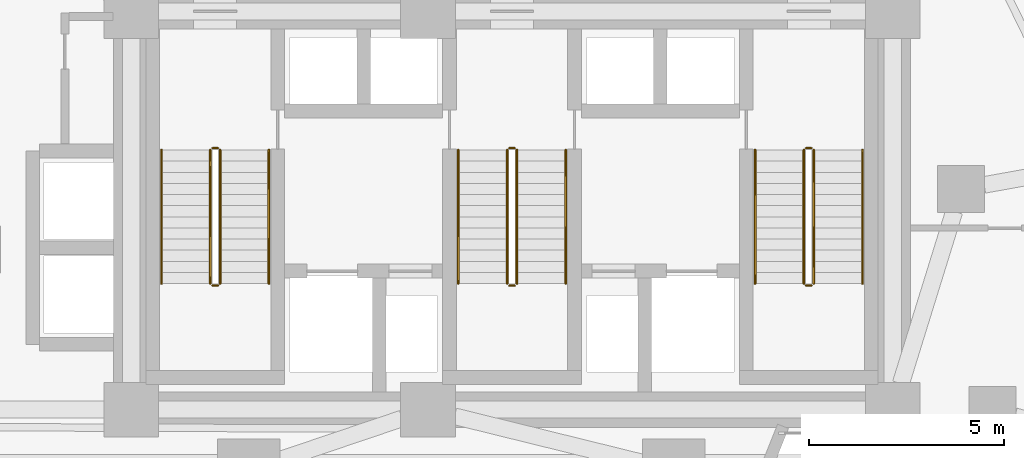
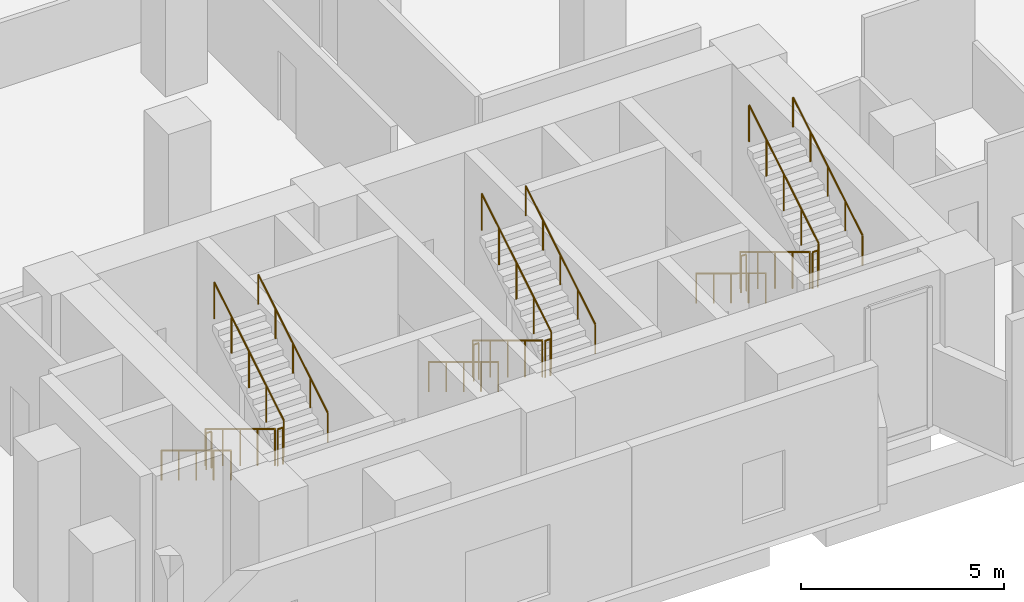
# One storey, part 10 of 11: 18 railings.
"""IFC4 building model written with IfcOpenShell, lengths in metres."""

from ifc_helpers import new_model, si_unit, direction, frame, origin, origin_2d, place, context, subcontext, project, spatial, circle, extrude, material, type_object, element, save


model = new_model("IFC4")

# Units and contexts
model_context = context("Model", 3, precision=1e-05, world=origin(), true_north=direction((0.0, 1.0)))
body_context = subcontext(model_context, "Body", "Model", "MODEL_VIEW")
ifc_project = project(units=[si_unit("LENGTHUNIT", "METRE"), si_unit("AREAUNIT", "SQUARE_METRE"), si_unit("VOLUMEUNIT", "CUBIC_METRE"), si_unit("PLANEANGLEUNIT", "RADIAN"), si_unit("MASSUNIT", "GRAM", prefix="KILO")], contexts=[model_context])

# Site, building, storey
site_placement = place(None, origin())
site = spatial("IfcSite", under=ifc_project, at=site_placement, CompositionType="ELEMENT")
building_placement = place(site_placement, origin())
building = spatial("IfcBuilding", under=site, at=building_placement, Name="Almagre Mirador Tower", CompositionType="ELEMENT")
storey_placement = place(building_placement, frame((0.0, 0.0, 21.89990234375)))
storey = spatial("IfcBuildingStorey", under=building, at=storey_placement, Name="L04", CompositionType="ELEMENT", Elevation=21.89990234375)

# Railings
ifc_material_1 = material(Name="Painted galvanized steel", Category="steel")
railing_type_1 = type_object("IfcRailingType", Name="RLG-GRD-1100", PredefinedType="GUARDRAIL", material=ifc_material_1)
railing_1_placement = place(storey_placement, frame((29.574951171875, 11.199951171875, 0.173095703125)))
element("IfcRailing", 1, at=railing_1_placement, inside=storey, type_object=railing_type_1, Name="L04 ST-1 stair guard 1", PredefinedType="GUARDRAIL", context=body_context, shape_type="SweptSolid", body=[
    extrude(circle(Radius=0.02392578125, at=origin_2d()), frame((0.0, 0.0, 1.09619140625), z_axis=(0.0, -0.854729506542, 0.519073665916), x_axis=(1.0, 0.0, 0.0)), (0.0, 0.0, 1.0), 4.001220703125),
    extrude(circle(Radius=0.02099609375, at=origin_2d()), origin(), (0.0, 0.0, 1.0), 1.072021484375),
    extrude(circle(Radius=0.02099609375, at=origin_2d()), frame((0.0, -0.85498046875, 0.519287109375)), (0.0, 0.0, 1.0), 1.072021484375),
    extrude(circle(Radius=0.02099609375, at=origin_2d()), frame((0.0, -1.7099609375, 1.03857421875)), (0.0, 0.0, 1.0), 1.072021484375),
    extrude(circle(Radius=0.02099609375, at=origin_2d()), frame((0.0, -2.56494140625, 1.5576171875)), (0.0, 0.0, 1.0), 1.072021484375),
    extrude(circle(Radius=0.02099609375, at=origin_2d()), frame((0.0, -3.419921875, 2.076904296875)), (0.0, 0.0, 1.0), 1.072021484375),
])
railing_2_placement = place(storey_placement, frame((29.625, 7.72998046875, 2.25)))
element("IfcRailing", 2, at=railing_2_placement, inside=storey, type_object=railing_type_1, Name="L04 ST-1 stair guard 2", PredefinedType="GUARDRAIL", context=body_context, shape_type="SweptSolid", body=[
    extrude(circle(Radius=0.02392578125, at=origin_2d()), frame((0.0, 0.0, 1.09619140625), z_axis=(1.0, 0.0, 0.0), x_axis=(0.0, 1.0, 0.0)), (0.0, 0.0, 1.0), 0.14990234375),
    extrude(circle(Radius=0.02099609375, at=origin_2d()), origin(), (0.0, 0.0, 1.0), 1.072021484375),
    extrude(circle(Radius=0.02099609375, at=origin_2d()), frame((0.14990234375, 0.0, 0.0)), (0.0, 0.0, 1.0), 1.072021484375),
])
railing_3_placement = place(storey_placement, frame((29.824951171875, 7.780029296875, 2.423095703125)))
element("IfcRailing", 3, at=railing_3_placement, inside=storey, type_object=railing_type_1, Name="L04 ST-1 stair guard 3", PredefinedType="GUARDRAIL", context=body_context, shape_type="SweptSolid", body=[
    extrude(circle(Radius=0.02392578125, at=origin_2d()), frame((0.0, 0.0, 1.09619140625), z_axis=(0.0, 0.854729506542, 0.519073665916), x_axis=(-1.0, 0.0, 0.0)), (0.0, 0.0, 1.0), 4.001220703125),
    extrude(circle(Radius=0.02099609375, at=origin_2d()), origin(), (0.0, 0.0, 1.0), 1.072021484375),
    extrude(circle(Radius=0.02099609375, at=origin_2d()), frame((0.0, 0.85498046875, 0.519287109375)), (0.0, 0.0, 1.0), 1.072021484375),
    extrude(circle(Radius=0.02099609375, at=origin_2d()), frame((0.0, 1.7099609375, 1.03857421875)), (0.0, 0.0, 1.0), 1.072021484375),
    extrude(circle(Radius=0.02099609375, at=origin_2d()), frame((0.0, 2.56494140625, 1.5576171875)), (0.0, 0.0, 1.0), 1.072021484375),
    extrude(circle(Radius=0.02099609375, at=origin_2d()), frame((0.0, 3.419921875, 2.076904296875)), (0.0, 0.0, 1.0), 1.072021484375),
])
railing_4_placement = place(storey_placement, frame((29.625, 11.25, 0.0)))
element("IfcRailing", 4, at=railing_4_placement, inside=storey, type_object=railing_type_1, Name="L04 ST-1 stair guard 4", PredefinedType="GUARDRAIL", context=body_context, shape_type="SweptSolid", body=[
    extrude(circle(Radius=0.02392578125, at=origin_2d()), frame((0.0, 0.0, 1.09619140625), z_axis=(1.0, 0.0, 0.0), x_axis=(0.0, 1.0, 0.0)), (0.0, 0.0, 1.0), 0.14990234375),
    extrude(circle(Radius=0.02099609375, at=origin_2d()), origin(), (0.0, 0.0, 1.0), 1.072021484375),
    extrude(circle(Radius=0.02099609375, at=origin_2d()), frame((0.14990234375, 0.0, 0.0)), (0.0, 0.0, 1.0), 1.072021484375),
])
railing_5_placement = place(storey_placement, frame((37.175048828125, 11.199951171875, 0.173095703125)))
element("IfcRailing", 5, at=railing_5_placement, inside=storey, type_object=railing_type_1, Name="L04 ST-2 stair guard 1", PredefinedType="GUARDRAIL", context=body_context, shape_type="SweptSolid", body=[
    extrude(circle(Radius=0.02392578125, at=origin_2d()), frame((0.0, 0.0, 1.09619140625), z_axis=(0.0, -0.854729506542, 0.519073665916), x_axis=(1.0, 0.0, 0.0)), (0.0, 0.0, 1.0), 4.001220703125),
    extrude(circle(Radius=0.02099609375, at=origin_2d()), origin(), (0.0, 0.0, 1.0), 1.072021484375),
    extrude(circle(Radius=0.02099609375, at=origin_2d()), frame((0.0, -0.85498046875, 0.519287109375)), (0.0, 0.0, 1.0), 1.072021484375),
    extrude(circle(Radius=0.02099609375, at=origin_2d()), frame((0.0, -1.7099609375, 1.03857421875)), (0.0, 0.0, 1.0), 1.072021484375),
    extrude(circle(Radius=0.02099609375, at=origin_2d()), frame((0.0, -2.56494140625, 1.5576171875)), (0.0, 0.0, 1.0), 1.072021484375),
    extrude(circle(Radius=0.02099609375, at=origin_2d()), frame((0.0, -3.419921875, 2.076904296875)), (0.0, 0.0, 1.0), 1.072021484375),
])
railing_6_placement = place(storey_placement, frame((37.22509765625, 7.72998046875, 2.25)))
element("IfcRailing", 6, at=railing_6_placement, inside=storey, type_object=railing_type_1, Name="L04 ST-2 stair guard 2", PredefinedType="GUARDRAIL", context=body_context, shape_type="SweptSolid", body=[
    extrude(circle(Radius=0.02392578125, at=origin_2d()), frame((0.0, 0.0, 1.09619140625), z_axis=(1.0, 0.0, 0.0), x_axis=(0.0, 1.0, 0.0)), (0.0, 0.0, 1.0), 0.14990234375),
    extrude(circle(Radius=0.02099609375, at=origin_2d()), origin(), (0.0, 0.0, 1.0), 1.072021484375),
    extrude(circle(Radius=0.02099609375, at=origin_2d()), frame((0.14990234375, 0.0, 0.0)), (0.0, 0.0, 1.0), 1.072021484375),
])
railing_7_placement = place(storey_placement, frame((37.425048828125, 7.780029296875, 2.423095703125)))
element("IfcRailing", 7, at=railing_7_placement, inside=storey, type_object=railing_type_1, Name="L04 ST-2 stair guard 3", PredefinedType="GUARDRAIL", context=body_context, shape_type="SweptSolid", body=[
    extrude(circle(Radius=0.02392578125, at=origin_2d()), frame((0.0, 0.0, 1.09619140625), z_axis=(0.0, 0.854729506542, 0.519073665916), x_axis=(-1.0, 0.0, 0.0)), (0.0, 0.0, 1.0), 4.001220703125),
    extrude(circle(Radius=0.02099609375, at=origin_2d()), origin(), (0.0, 0.0, 1.0), 1.072021484375),
    extrude(circle(Radius=0.02099609375, at=origin_2d()), frame((0.0, 0.85498046875, 0.519287109375)), (0.0, 0.0, 1.0), 1.072021484375),
    extrude(circle(Radius=0.02099609375, at=origin_2d()), frame((0.0, 1.7099609375, 1.03857421875)), (0.0, 0.0, 1.0), 1.072021484375),
    extrude(circle(Radius=0.02099609375, at=origin_2d()), frame((0.0, 2.56494140625, 1.5576171875)), (0.0, 0.0, 1.0), 1.072021484375),
    extrude(circle(Radius=0.02099609375, at=origin_2d()), frame((0.0, 3.419921875, 2.076904296875)), (0.0, 0.0, 1.0), 1.072021484375),
])
railing_8_placement = place(storey_placement, frame((37.22509765625, 11.25, 0.0)))
element("IfcRailing", 8, at=railing_8_placement, inside=storey, type_object=railing_type_1, Name="L04 ST-2 stair guard 4", PredefinedType="GUARDRAIL", context=body_context, shape_type="SweptSolid", body=[
    extrude(circle(Radius=0.02392578125, at=origin_2d()), frame((0.0, 0.0, 1.09619140625), z_axis=(1.0, 0.0, 0.0), x_axis=(0.0, 1.0, 0.0)), (0.0, 0.0, 1.0), 0.14990234375),
    extrude(circle(Radius=0.02099609375, at=origin_2d()), origin(), (0.0, 0.0, 1.0), 1.072021484375),
    extrude(circle(Radius=0.02099609375, at=origin_2d()), frame((0.14990234375, 0.0, 0.0)), (0.0, 0.0, 1.0), 1.072021484375),
])
railing_9_placement = place(storey_placement, frame((44.77490234375, 11.199951171875, 0.173095703125)))
element("IfcRailing", 9, at=railing_9_placement, inside=storey, type_object=railing_type_1, Name="L04 ST-3 stair guard 1", PredefinedType="GUARDRAIL", context=body_context, shape_type="SweptSolid", body=[
    extrude(circle(Radius=0.02392578125, at=origin_2d()), frame((0.0, 0.0, 1.09619140625), z_axis=(0.0, -0.854729506542, 0.519073665916), x_axis=(1.0, 0.0, 0.0)), (0.0, 0.0, 1.0), 4.001220703125),
    extrude(circle(Radius=0.02099609375, at=origin_2d()), origin(), (0.0, 0.0, 1.0), 1.072021484375),
    extrude(circle(Radius=0.02099609375, at=origin_2d()), frame((0.0, -0.85498046875, 0.519287109375)), (0.0, 0.0, 1.0), 1.072021484375),
    extrude(circle(Radius=0.02099609375, at=origin_2d()), frame((0.0, -1.7099609375, 1.03857421875)), (0.0, 0.0, 1.0), 1.072021484375),
    extrude(circle(Radius=0.02099609375, at=origin_2d()), frame((0.0, -2.56494140625, 1.5576171875)), (0.0, 0.0, 1.0), 1.072021484375),
    extrude(circle(Radius=0.02099609375, at=origin_2d()), frame((0.0, -3.419921875, 2.076904296875)), (0.0, 0.0, 1.0), 1.072021484375),
])
railing_10_placement = place(storey_placement, frame((44.824951171875, 7.72998046875, 2.25)))
element("IfcRailing", 10, at=railing_10_placement, inside=storey, type_object=railing_type_1, Name="L04 ST-3 stair guard 2", PredefinedType="GUARDRAIL", context=body_context, shape_type="SweptSolid", body=[
    extrude(circle(Radius=0.02392578125, at=origin_2d()), frame((0.0, 0.0, 1.09619140625), z_axis=(1.0, 0.0, 0.0), x_axis=(0.0, 1.0, 0.0)), (0.0, 0.0, 1.0), 0.150146484375),
    extrude(circle(Radius=0.02099609375, at=origin_2d()), origin(), (0.0, 0.0, 1.0), 1.072021484375),
    extrude(circle(Radius=0.02099609375, at=origin_2d()), frame((0.150146484375, 0.0, 0.0)), (0.0, 0.0, 1.0), 1.072021484375),
])
railing_11_placement = place(storey_placement, frame((45.02490234375, 7.780029296875, 2.423095703125)))
element("IfcRailing", 11, at=railing_11_placement, inside=storey, type_object=railing_type_1, Name="L04 ST-3 stair guard 3", PredefinedType="GUARDRAIL", context=body_context, shape_type="SweptSolid", body=[
    extrude(circle(Radius=0.02392578125, at=origin_2d()), frame((0.0, 0.0, 1.09619140625), z_axis=(0.0, 0.854729506542, 0.519073665916), x_axis=(-1.0, 0.0, 0.0)), (0.0, 0.0, 1.0), 4.001220703125),
    extrude(circle(Radius=0.02099609375, at=origin_2d()), origin(), (0.0, 0.0, 1.0), 1.072021484375),
    extrude(circle(Radius=0.02099609375, at=origin_2d()), frame((0.0, 0.85498046875, 0.519287109375)), (0.0, 0.0, 1.0), 1.072021484375),
    extrude(circle(Radius=0.02099609375, at=origin_2d()), frame((0.0, 1.7099609375, 1.03857421875)), (0.0, 0.0, 1.0), 1.072021484375),
    extrude(circle(Radius=0.02099609375, at=origin_2d()), frame((0.0, 2.56494140625, 1.5576171875)), (0.0, 0.0, 1.0), 1.072021484375),
    extrude(circle(Radius=0.02099609375, at=origin_2d()), frame((0.0, 3.419921875, 2.076904296875)), (0.0, 0.0, 1.0), 1.072021484375),
])
railing_12_placement = place(storey_placement, frame((44.824951171875, 11.25, 0.0)))
element("IfcRailing", 12, at=railing_12_placement, inside=storey, type_object=railing_type_1, Name="L04 ST-3 stair guard 4", PredefinedType="GUARDRAIL", context=body_context, shape_type="SweptSolid", body=[
    extrude(circle(Radius=0.02392578125, at=origin_2d()), frame((0.0, 0.0, 1.09619140625), z_axis=(1.0, 0.0, 0.0), x_axis=(0.0, 1.0, 0.0)), (0.0, 0.0, 1.0), 0.150146484375),
    extrude(circle(Radius=0.02099609375, at=origin_2d()), origin(), (0.0, 0.0, 1.0), 1.072021484375),
    extrude(circle(Radius=0.02099609375, at=origin_2d()), frame((0.150146484375, 0.0, 0.0)), (0.0, 0.0, 1.0), 1.072021484375),
])
ifc_material_2 = material(Name="Brushed stainless steel", Category="steel")
railing_type_2 = type_object("IfcRailingType", Name="RLG-HND-915", PredefinedType="HANDRAIL", material=ifc_material_2)
railing_13_placement = place(storey_placement, frame((28.324951171875, 11.199951171875, 0.173095703125)))
element("IfcRailing", 13, at=railing_13_placement, inside=storey, type_object=railing_type_2, Name="L04 ST-1 stair handrail 1", PredefinedType="HANDRAIL", context=body_context, shape_type="SweptSolid", body=[
    extrude(circle(Radius=0.02392578125, at=origin_2d()), frame((0.0, 0.0, 0.89111328125), z_axis=(0.0, -0.854729506542, 0.519073665916), x_axis=(1.0, 0.0, 0.0)), (0.0, 0.0, 1.0), 4.001220703125),
    extrude(circle(Radius=0.02099609375, at=origin_2d()), origin(), (0.0, 0.0, 1.0), 0.866943359375),
    extrude(circle(Radius=0.02099609375, at=origin_2d()), frame((0.0, -0.85498046875, 0.519287109375)), (0.0, 0.0, 1.0), 0.866943359375),
    extrude(circle(Radius=0.02099609375, at=origin_2d()), frame((0.0, -1.7099609375, 1.03857421875)), (0.0, 0.0, 1.0), 0.866943359375),
    extrude(circle(Radius=0.02099609375, at=origin_2d()), frame((0.0, -2.56494140625, 1.5576171875)), (0.0, 0.0, 1.0), 0.866943359375),
    extrude(circle(Radius=0.02099609375, at=origin_2d()), frame((0.0, -3.419921875, 2.076904296875)), (0.0, 0.0, 1.0), 0.866943359375),
])
railing_14_placement = place(storey_placement, frame((31.074951171875, 7.780029296875, 2.423095703125)))
element("IfcRailing", 14, at=railing_14_placement, inside=storey, type_object=railing_type_2, Name="L04 ST-1 stair handrail 2", PredefinedType="HANDRAIL", context=body_context, shape_type="SweptSolid", body=[
    extrude(circle(Radius=0.02392578125, at=origin_2d()), frame((0.0, 0.0, 0.89111328125), z_axis=(0.0, 0.854729506542, 0.519073665916), x_axis=(-1.0, 0.0, 0.0)), (0.0, 0.0, 1.0), 4.001220703125),
    extrude(circle(Radius=0.02099609375, at=origin_2d()), origin(), (0.0, 0.0, 1.0), 0.866943359375),
    extrude(circle(Radius=0.02099609375, at=origin_2d()), frame((0.0, 0.85498046875, 0.519287109375)), (0.0, 0.0, 1.0), 0.866943359375),
    extrude(circle(Radius=0.02099609375, at=origin_2d()), frame((0.0, 1.7099609375, 1.03857421875)), (0.0, 0.0, 1.0), 0.866943359375),
    extrude(circle(Radius=0.02099609375, at=origin_2d()), frame((0.0, 2.56494140625, 1.5576171875)), (0.0, 0.0, 1.0), 0.866943359375),
    extrude(circle(Radius=0.02099609375, at=origin_2d()), frame((0.0, 3.419921875, 2.076904296875)), (0.0, 0.0, 1.0), 0.866943359375),
])
railing_15_placement = place(storey_placement, frame((35.925048828125, 11.199951171875, 0.173095703125)))
element("IfcRailing", 15, at=railing_15_placement, inside=storey, type_object=railing_type_2, Name="L04 ST-2 stair handrail 1", PredefinedType="HANDRAIL", context=body_context, shape_type="SweptSolid", body=[
    extrude(circle(Radius=0.02392578125, at=origin_2d()), frame((0.0, 0.0, 0.89111328125), z_axis=(0.0, -0.854729506542, 0.519073665916), x_axis=(1.0, 0.0, 0.0)), (0.0, 0.0, 1.0), 4.001220703125),
    extrude(circle(Radius=0.02099609375, at=origin_2d()), origin(), (0.0, 0.0, 1.0), 0.866943359375),
    extrude(circle(Radius=0.02099609375, at=origin_2d()), frame((0.0, -0.85498046875, 0.519287109375)), (0.0, 0.0, 1.0), 0.866943359375),
    extrude(circle(Radius=0.02099609375, at=origin_2d()), frame((0.0, -1.7099609375, 1.03857421875)), (0.0, 0.0, 1.0), 0.866943359375),
    extrude(circle(Radius=0.02099609375, at=origin_2d()), frame((0.0, -2.56494140625, 1.5576171875)), (0.0, 0.0, 1.0), 0.866943359375),
    extrude(circle(Radius=0.02099609375, at=origin_2d()), frame((0.0, -3.419921875, 2.076904296875)), (0.0, 0.0, 1.0), 0.866943359375),
])
railing_16_placement = place(storey_placement, frame((38.675048828125, 7.780029296875, 2.423095703125)))
element("IfcRailing", 16, at=railing_16_placement, inside=storey, type_object=railing_type_2, Name="L04 ST-2 stair handrail 2", PredefinedType="HANDRAIL", context=body_context, shape_type="SweptSolid", body=[
    extrude(circle(Radius=0.02392578125, at=origin_2d()), frame((0.0, 0.0, 0.89111328125), z_axis=(0.0, 0.854729506542, 0.519073665916), x_axis=(-1.0, 0.0, 0.0)), (0.0, 0.0, 1.0), 4.001220703125),
    extrude(circle(Radius=0.02099609375, at=origin_2d()), origin(), (0.0, 0.0, 1.0), 0.866943359375),
    extrude(circle(Radius=0.02099609375, at=origin_2d()), frame((0.0, 0.85498046875, 0.519287109375)), (0.0, 0.0, 1.0), 0.866943359375),
    extrude(circle(Radius=0.02099609375, at=origin_2d()), frame((0.0, 1.7099609375, 1.03857421875)), (0.0, 0.0, 1.0), 0.866943359375),
    extrude(circle(Radius=0.02099609375, at=origin_2d()), frame((0.0, 2.56494140625, 1.5576171875)), (0.0, 0.0, 1.0), 0.866943359375),
    extrude(circle(Radius=0.02099609375, at=origin_2d()), frame((0.0, 3.419921875, 2.076904296875)), (0.0, 0.0, 1.0), 0.866943359375),
])
railing_17_placement = place(storey_placement, frame((43.52490234375, 11.199951171875, 0.173095703125)))
element("IfcRailing", 17, at=railing_17_placement, inside=storey, type_object=railing_type_2, Name="L04 ST-3 stair handrail 1", PredefinedType="HANDRAIL", context=body_context, shape_type="SweptSolid", body=[
    extrude(circle(Radius=0.02392578125, at=origin_2d()), frame((0.0, 0.0, 0.89111328125), z_axis=(0.0, -0.854729506542, 0.519073665916), x_axis=(1.0, 0.0, 0.0)), (0.0, 0.0, 1.0), 4.001220703125),
    extrude(circle(Radius=0.02099609375, at=origin_2d()), origin(), (0.0, 0.0, 1.0), 0.866943359375),
    extrude(circle(Radius=0.02099609375, at=origin_2d()), frame((0.0, -0.85498046875, 0.519287109375)), (0.0, 0.0, 1.0), 0.866943359375),
    extrude(circle(Radius=0.02099609375, at=origin_2d()), frame((0.0, -1.7099609375, 1.03857421875)), (0.0, 0.0, 1.0), 0.866943359375),
    extrude(circle(Radius=0.02099609375, at=origin_2d()), frame((0.0, -2.56494140625, 1.5576171875)), (0.0, 0.0, 1.0), 0.866943359375),
    extrude(circle(Radius=0.02099609375, at=origin_2d()), frame((0.0, -3.419921875, 2.076904296875)), (0.0, 0.0, 1.0), 0.866943359375),
])
railing_18_placement = place(storey_placement, frame((46.27490234375, 7.780029296875, 2.423095703125)))
element("IfcRailing", 18, at=railing_18_placement, inside=storey, type_object=railing_type_2, Name="L04 ST-3 stair handrail 2", PredefinedType="HANDRAIL", context=body_context, shape_type="SweptSolid", body=[
    extrude(circle(Radius=0.02392578125, at=origin_2d()), frame((0.0, 0.0, 0.89111328125), z_axis=(0.0, 0.854729506542, 0.519073665916), x_axis=(-1.0, 0.0, 0.0)), (0.0, 0.0, 1.0), 4.001220703125),
    extrude(circle(Radius=0.02099609375, at=origin_2d()), origin(), (0.0, 0.0, 1.0), 0.866943359375),
    extrude(circle(Radius=0.02099609375, at=origin_2d()), frame((0.0, 0.85498046875, 0.519287109375)), (0.0, 0.0, 1.0), 0.866943359375),
    extrude(circle(Radius=0.02099609375, at=origin_2d()), frame((0.0, 1.7099609375, 1.03857421875)), (0.0, 0.0, 1.0), 0.866943359375),
    extrude(circle(Radius=0.02099609375, at=origin_2d()), frame((0.0, 2.56494140625, 1.5576171875)), (0.0, 0.0, 1.0), 0.866943359375),
    extrude(circle(Radius=0.02099609375, at=origin_2d()), frame((0.0, 3.419921875, 2.076904296875)), (0.0, 0.0, 1.0), 0.866943359375),
])

save(model, "model.ifc")
